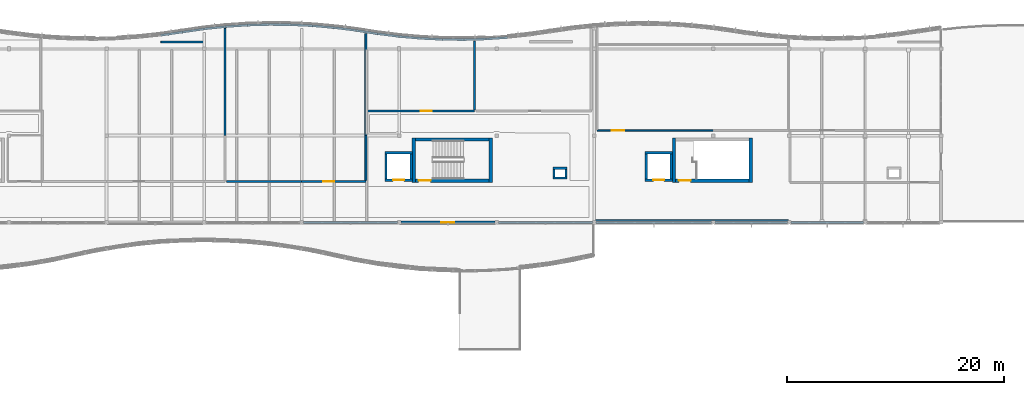
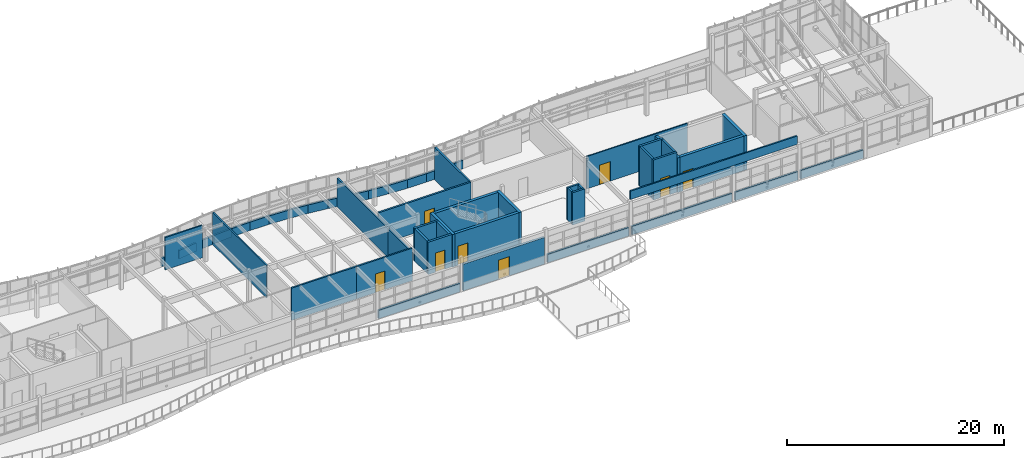
# One storey, part 21 of 33: 51 walls, 8 doors, 8 openings.
"""IFC4 building model written with IfcOpenShell, lengths in metres."""

from ifc_helpers import new_model, si_unit, direction, frame, frame_2d, origin, place, context, subcontext, project, spatial, rectangle, extrude, material, layer, layer_set, type_object, element, fill, save


model = new_model("IFC4")

# Units and contexts
model_context = context("Model", 3, precision=1e-05, world=origin(), true_north=direction((0.0, 1.0)))
body_context = subcontext(model_context, "Body", "Model", "MODEL_VIEW")
ifc_project = project(units=[si_unit("LENGTHUNIT", "METRE"), si_unit("AREAUNIT", "SQUARE_METRE"), si_unit("VOLUMEUNIT", "CUBIC_METRE"), si_unit("PLANEANGLEUNIT", "RADIAN"), si_unit("MASSUNIT", "GRAM", prefix="KILO")], contexts=[model_context])

# Site, building, storey
site_placement = place(None, origin())
site = spatial("IfcSite", under=ifc_project, at=site_placement, CompositionType="ELEMENT")
building_placement = place(site_placement, origin())
building = spatial("IfcBuilding", under=site, at=building_placement, Name="Tonlespit Floodbar School", CompositionType="ELEMENT")
storey_placement = place(building_placement, frame((0.0, 0.0, 16.199951171875)))
storey = spatial("IfcBuildingStorey", under=building, at=storey_placement, Name="L04", CompositionType="ELEMENT", Elevation=16.199951171875)

# Walls
ifc_material_1 = material(Name="Concrete C40/50", Category="concrete")
ifc_layer_1 = layer(ifc_material_1, 0.300048828125)
ifc_layer_set_1 = layer_set([ifc_layer_1], Name="Concrete C40/50")
wall_type_1 = type_object("IfcWallType", Name="CoreWall_RC_300", PredefinedType="SHEAR", material=ifc_layer_set_1)
for number, where, z_axis, x_axis, name in (
    (1, (99.35009765625, 107.699951171875, 0.0), (0.0, 0.0, 1.0), (0.0, 1.0, 0.0), "L04 core C2 shear wall NEAR"),
    (2, (106.449951171875, 111.800048828125, 0.0), (0.0, 0.0, 1.0), (0.0, -1.0, 0.0), "L04 core C2 shear wall FAR"),
):
    element("IfcWall", number, at=place(storey_placement, frame(where, z_axis=z_axis, x_axis=x_axis)), inside=storey, type_object=wall_type_1, Name=name, PredefinedType="SHEAR", context=body_context, shape_type="SweptSolid", body=[
        extrude(rectangle(XDim=4.10009765625, YDim=0.300048828125, at=frame_2d((2.050048828125, 0.0))), origin(), (0.0, 0.0, 1.0), 3.650146484375),
    ])

# Wall, opening, door
wall_1_placement = place(storey_placement, frame((99.5, 107.85009765625, 0.0), z_axis=(0.0, 0.0, 1.0), x_axis=(1.0, 0.0, 0.0)))
wall_1 = element("IfcWall", 3, at=wall_1_placement, inside=storey, type_object=wall_type_1, Name="L04 core C2 shear wall LEFT", PredefinedType="SHEAR", context=body_context, shape_type="SweptSolid", body=[
    extrude(rectangle(XDim=6.800048828125, YDim=0.300048828125, at=frame_2d((3.39990234375, 0.0))), origin(), (0.0, 0.0, 1.0), 3.650146484375),
])
opening_1_placement = place(wall_1_placement, frame((0.300048828125, 0.0, 0.0)))
opening_1 = element("IfcOpeningElement", 4, at=opening_1_placement, cuts=wall_1, Name="Opening FD1-C2-L04", PredefinedType="OPENING", context=body_context, shape_type="SweptSolid", body=[
    extrude(rectangle(XDim=1.10009765625, YDim=2.14990234375, at=frame_2d((0.550048828125, 1.074951171875))), frame((0.0, 0.159912109375, 0.0), z_axis=(0.0, -1.0, 0.0), x_axis=(1.0, 0.0, 0.0)), (0.0, 0.0, 1.0), 0.320068359375),
])
ifc_material_2 = material(Name="Galvanised Steel", Category="steel")
door_type_1 = type_object("IfcDoorType", Name="FireDoor_Stair_1100x2150", OperationType="NOTDEFINED", PredefinedType="DOOR", material=ifc_material_2)
door_1_placement = place(opening_1_placement, origin())
door_1 = element("IfcDoor", 5, at=door_1_placement, inside=storey, type_object=door_type_1, Name="L04 stair ST-C2 fire door", OperationType="SINGLE_SWING_LEFT", OverallHeight=2.14990234375, OverallWidth=1.10009765625, PredefinedType="DOOR", context=body_context, shape_type="SweptSolid", body=[
    extrude(rectangle(XDim=1.10009765625, YDim=2.14990234375, at=frame_2d((0.550048828125, 1.074951171875))), frame((0.0, 0.02490234375, 0.0), z_axis=(0.0, -1.0, 0.0), x_axis=(1.0, 0.0, 0.0)), (0.0, 0.0, 1.0), 0.050048828125),
])
fill(opening_1, door_1)

# Walls
wall_2_placement = place(storey_placement, frame((106.300048828125, 111.64990234375, 0.0), z_axis=(0.0, 0.0, 1.0), x_axis=(-1.0, 0.0, 0.0)))
element("IfcWall", 6, at=wall_2_placement, inside=storey, type_object=wall_type_1, Name="L04 core C2 shear wall RGHT", PredefinedType="SHEAR", context=body_context, shape_type="SweptSolid", body=[
    extrude(rectangle(XDim=6.800048828125, YDim=0.300048828125, at=frame_2d((3.39990234375, 0.0))), origin(), (0.0, 0.0, 1.0), 3.650146484375),
])
for number, where, z_axis, x_axis, name in (
    (7, (123.35009765625, 107.699951171875, 0.0), (0.0, 0.0, 1.0), (0.0, 1.0, 0.0), "L04 core C4 shear wall NEAR"),
    (8, (130.449951171875, 111.800048828125, 0.0), (0.0, 0.0, 1.0), (0.0, -1.0, 0.0), "L04 core C4 shear wall FAR"),
):
    element("IfcWall", number, at=place(storey_placement, frame(where, z_axis=z_axis, x_axis=x_axis)), inside=storey, type_object=wall_type_1, Name=name, PredefinedType="SHEAR", context=body_context, shape_type="SweptSolid", body=[
        extrude(rectangle(XDim=4.10009765625, YDim=0.300048828125, at=frame_2d((2.050048828125, 0.0))), origin(), (0.0, 0.0, 1.0), 3.900146484375),
    ])

# Wall, opening, door
wall_3_placement = place(storey_placement, frame((123.5, 107.85009765625, 0.0), z_axis=(0.0, 0.0, 1.0), x_axis=(1.0, 0.0, 0.0)))
wall_3 = element("IfcWall", 9, at=wall_3_placement, inside=storey, type_object=wall_type_1, Name="L04 core C4 shear wall LEFT", PredefinedType="SHEAR", context=body_context, shape_type="SweptSolid", body=[
    extrude(rectangle(XDim=6.800048828125, YDim=0.300048828125, at=frame_2d((3.39990234375, 0.0))), origin(), (0.0, 0.0, 1.0), 3.900146484375),
])
opening_2_placement = place(wall_3_placement, frame((0.300048828125, 0.0, 0.0)))
opening_2 = element("IfcOpeningElement", 10, at=opening_2_placement, cuts=wall_3, Name="Opening FD1-C4-L04", PredefinedType="OPENING", context=body_context, shape_type="SweptSolid", body=[
    extrude(rectangle(XDim=1.10009765625, YDim=2.14990234375, at=frame_2d((0.550048828125, 1.074951171875))), frame((0.0, 0.159912109375, 0.0), z_axis=(0.0, -1.0, 0.0), x_axis=(1.0, 0.0, 0.0)), (0.0, 0.0, 1.0), 0.320068359375),
])
door_2_placement = place(opening_2_placement, origin())
door_2 = element("IfcDoor", 11, at=door_2_placement, inside=storey, type_object=door_type_1, Name="L04 stair ST-C4 fire door", OperationType="SINGLE_SWING_LEFT", OverallHeight=2.14990234375, OverallWidth=1.10009765625, PredefinedType="DOOR", context=body_context, shape_type="SweptSolid", body=[
    extrude(rectangle(XDim=1.10009765625, YDim=2.14990234375, at=frame_2d((0.550048828125, 1.074951171875))), frame((0.0, 0.02490234375, 0.0), z_axis=(0.0, -1.0, 0.0), x_axis=(1.0, 0.0, 0.0)), (0.0, 0.0, 1.0), 0.050048828125),
])
fill(opening_2, door_2)

ifc_material_3 = material(Name="Precast concrete C40/50", Category="concrete")
ifc_layer_2 = layer(ifc_material_3, 0.239990234375)
ifc_layer_set_2 = layer_set([ifc_layer_2], Name="Precast concrete C40/50")
wall_type_2 = type_object("IfcWallType", Name="ExtWall_Rainscreen_240", PredefinedType="SOLIDWALL", material=ifc_layer_set_2)
wall_4_placement = place(storey_placement, frame((106.840087890625, 104.0, 0.0), z_axis=(0.0, 0.0, 1.0), x_axis=(-1.0, 0.0, 0.0)))
wall_4 = element("IfcWall", 12, at=wall_4_placement, inside=storey, type_object=wall_type_2, Name="L04 external wall 0226", PredefinedType="SOLIDWALL", context=body_context, shape_type="SweptSolid", body=[
    extrude(rectangle(XDim=8.68017578125, YDim=0.239990234375, at=frame_2d((4.340087890625, 0.0))), origin(), (0.0, 0.0, 1.0), 3.010009765625),
])
opening_3_placement = place(wall_4_placement, frame((3.739990234375, 0.0, 0.0)))
opening_3 = element("IfcOpeningElement", 13, at=opening_3_placement, cuts=wall_4, Name="Opening D-TR-010", PredefinedType="OPENING", context=body_context, shape_type="SweptSolid", body=[
    extrude(rectangle(XDim=1.199951171875, YDim=2.14990234375, at=frame_2d((0.60009765625, 1.074951171875))), frame((0.0, 0.1298828125, 0.0), z_axis=(0.0, -1.0, 0.0), x_axis=(1.0, 0.0, 0.0)), (0.0, 0.0, 1.0), 0.260009765625),
])
ifc_material_4 = material(Name="Anodised Aluminium", Category="aluminium")
door_type_2 = type_object("IfcDoorType", Name="ExtDoor_Terrace_1200x2150", OperationType="NOTDEFINED", PredefinedType="DOOR", material=ifc_material_4)
door_3_placement = place(opening_3_placement, origin())
door_3 = element("IfcDoor", 14, at=door_3_placement, inside=storey, type_object=door_type_2, Name="L04 exterior door D-TR-010", OperationType="SINGLE_SWING_RIGHT", OverallHeight=2.14990234375, OverallWidth=1.199951171875, PredefinedType="DOOR", context=body_context, shape_type="SweptSolid", body=[
    extrude(rectangle(XDim=1.199951171875, YDim=2.14990234375, at=frame_2d((0.60009765625, 1.074951171875))), frame((0.0, 0.02490234375, 0.0), z_axis=(0.0, -1.0, 0.0), x_axis=(1.0, 0.0, 0.0)), (0.0, 0.0, 1.0), 0.050048828125),
])
fill(opening_3, door_3)

# Walls
ifc_material_5 = material(Name="White Architectural Precast concrete C40/50", Category="concrete")
ifc_layer_3 = layer(ifc_material_5, 0.199951171875)
ifc_layer_set_3 = layer_set([ifc_layer_3], Name="White Architectural Precast concrete C40/50")
wall_type_3 = type_object("IfcWallType", Name="ExtWall_Spandrel_White_200", PredefinedType="SOLIDWALL", material=ifc_layer_set_3)
for number, where, z_axis, x_axis, name in (
    (15, (76.0, 121.25830078125, 0.0), (0.0, 0.0, 1.0), (0.989527230727, 0.144346318447, 0.0), "L04 spandrel wall 0205"),
    (16, (78.0, 121.550048828125, 0.0), (0.0, 0.0, 1.0), (0.989544477223, 0.144228040259, 0.0), "L04 spandrel wall 0206"),
):
    element("IfcWall", number, at=place(storey_placement, frame(where, z_axis=z_axis, x_axis=x_axis)), inside=storey, type_object=wall_type_3, Name=name, PredefinedType="SOLIDWALL", context=body_context, shape_type="SweptSolid", body=[
        extrude(rectangle(XDim=2.021240234375, YDim=0.199951171875, at=frame_2d((1.0107421875, 0.0))), origin(), (0.0, 0.0, 1.0), 0.949951171875),
    ])
wall_5_placement = place(storey_placement, frame((80.0, 121.841552734375, 0.0), z_axis=(0.0, 0.0, 1.0), x_axis=(0.994395160059, 0.105727317433, 0.0)))
element("IfcWall", 17, at=wall_5_placement, inside=storey, type_object=wall_type_3, Name="L04 spandrel wall 0207", PredefinedType="SOLIDWALL", context=body_context, shape_type="SweptSolid", body=[
    extrude(rectangle(XDim=2.01123046875, YDim=0.199951171875, at=frame_2d((1.005615234375, 0.0))), origin(), (0.0, 0.0, 1.0), 0.949951171875),
])
wall_6_placement = place(storey_placement, frame((82.0, 122.05419921875, 0.0), z_axis=(0.0, 0.0, 1.0), x_axis=(0.997729302978, 0.067351599676, 0.0)))
element("IfcWall", 18, at=wall_6_placement, inside=storey, type_object=wall_type_3, Name="L04 spandrel wall 0208", PredefinedType="SOLIDWALL", context=body_context, shape_type="SweptSolid", body=[
    extrude(rectangle(XDim=2.004638671875, YDim=0.199951171875, at=frame_2d((1.00244140625, 0.0))), origin(), (0.0, 0.0, 1.0), 0.949951171875),
])
wall_7_placement = place(storey_placement, frame((84.0, 122.189208984375, 0.0), z_axis=(0.0, 0.0, 1.0), x_axis=(0.999581770858, 0.028918564416, 0.0)))
element("IfcWall", 19, at=wall_7_placement, inside=storey, type_object=wall_type_3, Name="L04 spandrel wall 0209", PredefinedType="SOLIDWALL", context=body_context, shape_type="SweptSolid", body=[
    extrude(rectangle(XDim=2.000732421875, YDim=0.199951171875, at=frame_2d((1.00048828125, 0.0))), origin(), (0.0, 0.0, 1.0), 0.949951171875),
])
wall_8_placement = place(storey_placement, frame((86.0, 122.2470703125, 0.0), z_axis=(0.0, 0.0, 1.0), x_axis=(0.999953504169, -0.009643106302, 0.0)))
element("IfcWall", 20, at=wall_8_placement, inside=storey, type_object=wall_type_3, Name="L04 spandrel wall 0210", PredefinedType="SOLIDWALL", context=body_context, shape_type="SweptSolid", body=[
    extrude(rectangle(XDim=2.0, YDim=0.199951171875, at=frame_2d((1.0, 0.0))), origin(), (0.0, 0.0, 1.0), 0.949951171875),
])
wall_9_placement = place(storey_placement, frame((88.0, 122.227783203125, 0.0), z_axis=(0.0, 0.0, 1.0), x_axis=(0.99884540439, -0.048040172037, 0.0)))
element("IfcWall", 21, at=wall_9_placement, inside=storey, type_object=wall_type_3, Name="L04 spandrel wall 0211", PredefinedType="SOLIDWALL", context=body_context, shape_type="SweptSolid", body=[
    extrude(rectangle(XDim=2.002197265625, YDim=0.199951171875, at=frame_2d((1.0009765625, 0.0))), origin(), (0.0, 0.0, 1.0), 0.949951171875),
])
wall_10_placement = place(storey_placement, frame((90.0, 122.131591796875, 0.0), z_axis=(0.0, 0.0, 1.0), x_axis=(0.996244237948, -0.086587633962, 0.0)))
element("IfcWall", 22, at=wall_10_placement, inside=storey, type_object=wall_type_3, Name="L04 spandrel wall 0212", PredefinedType="SOLIDWALL", context=body_context, shape_type="SweptSolid", body=[
    extrude(rectangle(XDim=2.007568359375, YDim=0.199951171875, at=frame_2d((1.00390625, 0.0))), origin(), (0.0, 0.0, 1.0), 0.949951171875),
])
wall_11_placement = place(storey_placement, frame((92.0, 121.957763671875, 0.0), z_axis=(0.0, 0.0, 1.0), x_axis=(0.992158168336, -0.124988675503, 0.0)))
element("IfcWall", 23, at=wall_11_placement, inside=storey, type_object=wall_type_3, Name="L04 spandrel wall 0213", PredefinedType="SOLIDWALL", context=body_context, shape_type="SweptSolid", body=[
    extrude(rectangle(XDim=2.015869140625, YDim=0.199951171875, at=frame_2d((1.0078125, 0.0))), origin(), (0.0, 0.0, 1.0), 0.949951171875),
])
wall_12_placement = place(storey_placement, frame((94.0, 121.705810546875, 0.0), z_axis=(0.0, 0.0, 1.0), x_axis=(0.988085509852, -0.153905897287, 0.0)))
element("IfcWall", 24, at=wall_12_placement, inside=storey, type_object=wall_type_3, Name="L04 spandrel wall 0214", PredefinedType="SOLIDWALL", context=body_context, shape_type="SweptSolid", body=[
    extrude(rectangle(XDim=2.024169921875, YDim=0.199951171875, at=frame_2d((1.01220703125, 0.0))), origin(), (0.0, 0.0, 1.0), 0.949951171875),
])
wall_13_placement = place(storey_placement, frame((96.0, 121.394287109375, 0.0), z_axis=(0.0, 0.0, 1.0), x_axis=(0.992158168336, -0.124988675503, 0.0)))
element("IfcWall", 25, at=wall_13_placement, inside=storey, type_object=wall_type_3, Name="L04 spandrel wall 0215", PredefinedType="SOLIDWALL", context=body_context, shape_type="SweptSolid", body=[
    extrude(rectangle(XDim=2.015869140625, YDim=0.199951171875, at=frame_2d((1.0078125, 0.0))), origin(), (0.0, 0.0, 1.0), 0.949951171875),
])
wall_14_placement = place(storey_placement, frame((98.0, 121.142333984375, 0.0), z_axis=(0.0, 0.0, 1.0), x_axis=(0.996244237948, -0.086587633962, 0.0)))
element("IfcWall", 26, at=wall_14_placement, inside=storey, type_object=wall_type_3, Name="L04 spandrel wall 0216", PredefinedType="SOLIDWALL", context=body_context, shape_type="SweptSolid", body=[
    extrude(rectangle(XDim=2.007568359375, YDim=0.199951171875, at=frame_2d((1.00390625, 0.0))), origin(), (0.0, 0.0, 1.0), 0.949951171875),
])
wall_15_placement = place(storey_placement, frame((100.0, 120.968505859375, 0.0), z_axis=(0.0, 0.0, 1.0), x_axis=(0.99884540439, -0.048040172037, 0.0)))
element("IfcWall", 27, at=wall_15_placement, inside=storey, type_object=wall_type_3, Name="L04 spandrel wall 0217", PredefinedType="SOLIDWALL", context=body_context, shape_type="SweptSolid", body=[
    extrude(rectangle(XDim=2.002197265625, YDim=0.199951171875, at=frame_2d((1.0009765625, 0.0))), origin(), (0.0, 0.0, 1.0), 0.949951171875),
])
wall_16_placement = place(storey_placement, frame((102.0, 120.872314453125, 0.0), z_axis=(0.0, 0.0, 1.0), x_axis=(0.999953504169, -0.009643106302, 0.0)))
element("IfcWall", 28, at=wall_16_placement, inside=storey, type_object=wall_type_3, Name="L04 spandrel wall 0218", PredefinedType="SOLIDWALL", context=body_context, shape_type="SweptSolid", body=[
    extrude(rectangle(XDim=2.0, YDim=0.199951171875, at=frame_2d((1.0, 0.0))), origin(), (0.0, 0.0, 1.0), 0.949951171875),
])
wall_17_placement = place(storey_placement, frame((104.0, 120.85302734375, 0.0), z_axis=(0.0, 0.0, 1.0), x_axis=(0.999585290582, 0.028796646555, 0.0)))
element("IfcWall", 29, at=wall_17_placement, inside=storey, type_object=wall_type_3, Name="L04 spandrel wall 0219", PredefinedType="SOLIDWALL", context=body_context, shape_type="SweptSolid", body=[
    extrude(rectangle(XDim=2.000732421875, YDim=0.199951171875, at=frame_2d((1.00048828125, 0.0))), origin(), (0.0, 0.0, 1.0), 0.949951171875),
])
wall_18_placement = place(storey_placement, frame((106.0, 120.91064453125, 0.0), z_axis=(0.0, 0.0, 1.0), x_axis=(0.997729302978, 0.067351599676, 0.0)))
element("IfcWall", 30, at=wall_18_placement, inside=storey, type_object=wall_type_3, Name="L04 spandrel wall 0220", PredefinedType="SOLIDWALL", context=body_context, shape_type="SweptSolid", body=[
    extrude(rectangle(XDim=2.004638671875, YDim=0.199951171875, at=frame_2d((1.00244140625, 0.0))), origin(), (0.0, 0.0, 1.0), 0.949951171875),
])
for number, where, z_axis, x_axis, name in (
    (31, (115.840087890625, 104.0, 0.0), (0.0, 0.0, 1.0), (-1.0, 0.0, 0.0), "L04 spandrel wall 0225"),
    (32, (97.840087890625, 104.0, 0.0), (0.0, 0.0, 1.0), (-1.0, 0.0, 0.0), "L04 spandrel wall 0227"),
):
    element("IfcWall", number, at=place(storey_placement, frame(where, z_axis=z_axis, x_axis=x_axis)), inside=storey, type_object=wall_type_3, Name=name, PredefinedType="SOLIDWALL", context=body_context, shape_type="SweptSolid", body=[
        extrude(rectangle(XDim=8.68017578125, YDim=0.199951171875, at=frame_2d((4.340087890625, 0.0))), origin(), (0.0, 0.0, 1.0), 0.949951171875),
    ])
for number, where, z_axis, x_axis, name in (
    (33, (140.840087890625, 104.0, 0.0), (0.0, 0.0, 1.0), (-1.0, 0.0, 0.0), "L04 spandrel wall 0682"),
    (34, (133.840087890625, 104.0, 0.0), (0.0, 0.0, 1.0), (-1.0, 0.0, 0.0), "L04 spandrel wall 0683"),
):
    element("IfcWall", number, at=place(storey_placement, frame(where, z_axis=z_axis, x_axis=x_axis)), inside=storey, type_object=wall_type_3, Name=name, PredefinedType="SOLIDWALL", context=body_context, shape_type="SweptSolid", body=[
        extrude(rectangle(XDim=6.68017578125, YDim=0.199951171875, at=frame_2d((3.340087890625, 0.0))), origin(), (0.0, 0.0, 1.0), 0.949951171875),
    ])
wall_19_placement = place(storey_placement, frame((126.840087890625, 104.0, 0.0), z_axis=(0.0, 0.0, 1.0), x_axis=(-1.0, 0.0, 0.0)))
element("IfcWall", 35, at=wall_19_placement, inside=storey, type_object=wall_type_3, Name="L04 spandrel wall 0684", PredefinedType="SOLIDWALL", context=body_context, shape_type="SweptSolid", body=[
    extrude(rectangle(XDim=10.68017578125, YDim=0.199951171875, at=frame_2d((5.340087890625, 0.0))), origin(), (0.0, 0.0, 1.0), 0.949951171875),
])
ifc_layer_4 = layer(ifc_material_1, 0.199951171875)
ifc_layer_set_4 = layer_set([ifc_layer_4], Name="Concrete C40/50")
wall_type_4 = type_object("IfcWallType", Name="FireWall_Plant_200", PredefinedType="PARTITIONING", material=ifc_layer_set_4)
for number, where, z_axis, x_axis, name in (
    (36, (113.5, 108.10009765625, 0.0), (0.0, 0.0, 1.0), (-1.0, 0.0, 0.0), "L04 service riser 02 wall S"),
    (37, (112.199951171875, 109.0, 0.0), (0.0, 0.0, 1.0), (1.0, 0.0, 0.0), "L04 service riser 02 wall N"),
):
    element("IfcWall", number, at=place(storey_placement, frame(where, z_axis=z_axis, x_axis=x_axis)), inside=storey, type_object=wall_type_4, Name=name, PredefinedType="PARTITIONING", context=body_context, shape_type="SweptSolid", body=[
        extrude(rectangle(XDim=1.300048828125, YDim=0.199951171875, at=frame_2d((0.64990234375, 0.0))), origin(), (0.0, 0.0, 1.0), 3.650146484375),
    ])
for number, where, z_axis, x_axis, name in (
    (38, (112.300048828125, 108.199951171875, 0.0), (0.0, 0.0, 1.0), (0.0, 1.0, 0.0), "L04 service riser 02 wall W"),
    (39, (113.39990234375, 108.89990234375, 0.0), (0.0, 0.0, 1.0), (0.0, -1.0, 0.0), "L04 service riser 02 wall E"),
):
    element("IfcWall", number, at=place(storey_placement, frame(where, z_axis=z_axis, x_axis=x_axis)), inside=storey, type_object=wall_type_4, Name=name, PredefinedType="PARTITIONING", context=body_context, shape_type="SweptSolid", body=[
        extrude(rectangle(XDim=0.699951171875, YDim=0.199951171875, at=frame_2d((0.35009765625, 0.0))), origin(), (0.0, 0.0, 1.0), 3.650146484375),
    ])
ifc_layer_5 = layer(ifc_material_5, 0.14990234375)
ifc_layer_set_5 = layer_set([ifc_layer_5], Name="White Architectural Precast concrete C40/50")
wall_type_5 = type_object("IfcWallType", Name="Parapet_RC_150", PredefinedType="PARAPET", material=ifc_layer_set_5)
wall_20_placement = place(storey_placement, frame((116.10009765625, 104.14990234375, 3.900146484375), z_axis=(0.0, 0.0, 1.0), x_axis=(1.0, 0.0, 0.0)))
element("IfcWall", 40, at=wall_20_placement, inside=storey, type_object=wall_type_5, Name="Roof parapet 01", PredefinedType="PARAPET", context=body_context, shape_type="SweptSolid", body=[
    extrude(rectangle(XDim=17.7998046875, YDim=0.14990234375, at=frame_2d((8.89990234375, 0.0))), origin(), (0.0, 0.0, 1.0), 0.949951171875),
])

# Wall, opening, door
ifc_material_6 = material(Name="Gypsum Plasterboard Partition")
ifc_layer_6 = layer(ifc_material_6, 0.1298828125)
ifc_layer_set_6 = layer_set([ifc_layer_6], Name="Gypsum Plasterboard Partition")
wall_type_6 = type_object("IfcWallType", Name="Partition_Gyp_130", PredefinedType="PARTITIONING", material=ifc_layer_set_6)
wall_21_placement = place(storey_placement, frame((116.27001953125, 112.469970703125, 0.0), z_axis=(0.0, 0.0, 1.0), x_axis=(1.0, 0.0, 0.0)))
wall_21 = element("IfcWall", 41, at=wall_21_placement, inside=storey, type_object=wall_type_6, Name="L04 partition wall 0424", PredefinedType="PARTITIONING", context=body_context, shape_type="SweptSolid", body=[
    extrude(rectangle(XDim=10.72998046875, YDim=0.1298828125, at=frame_2d((5.364990234375, 0.0))), origin(), (0.0, 0.0, 1.0), 3.64013671875),
])
opening_4_placement = place(wall_21_placement, frame((1.360107421875, 0.0, 0.0)))
opening_4 = element("IfcOpeningElement", 42, at=opening_4_placement, cuts=wall_21, Name="Opening D-L04-116", PredefinedType="OPENING", context=body_context, shape_type="SweptSolid", body=[
    extrude(rectangle(XDim=1.139892578125, YDim=2.199951171875, at=frame_2d((0.56982421875, 1.10009765625))), frame((0.0, 0.074951171875, 0.0), z_axis=(0.0, -1.0, 0.0), x_axis=(1.0, 0.0, 0.0)), (0.0, 0.0, 1.0), 0.14990234375),
])
ifc_material_7 = material(Name="Hardwood Timber", Category="wood")
door_type_3 = type_object("IfcDoorType", Name="IntDoor_1140x2200", OperationType="NOTDEFINED", PredefinedType="DOOR", material=ifc_material_7)
door_4_placement = place(opening_4_placement, origin())
door_4 = element("IfcDoor", 43, at=door_4_placement, inside=storey, type_object=door_type_3, Name="L04 interior door D-L04-116", OperationType="SINGLE_SWING_LEFT", OverallHeight=2.199951171875, OverallWidth=1.139892578125, PredefinedType="DOOR", context=body_context, shape_type="SweptSolid", body=[
    extrude(rectangle(XDim=1.139892578125, YDim=2.199951171875, at=frame_2d((0.56982421875, 1.10009765625))), frame((0.0, 0.02490234375, 0.0), z_axis=(0.0, -1.0, 0.0), x_axis=(1.0, 0.0, 0.0)), (0.0, 0.0, 1.0), 0.050048828125),
])
fill(opening_4, door_4)

# Walls
ifc_layer_7 = layer(ifc_material_6, 0.14990234375)
ifc_layer_set_7 = layer_set([ifc_layer_7], Name="Gypsum Plasterboard Partition")
wall_type_7 = type_object("IfcWallType", Name="Partition_Gyp_150", PredefinedType="PARTITIONING", material=ifc_layer_set_7)
wall_22_placement = place(storey_placement, frame((76.02001953125, 120.64111328125, 0.0), z_axis=(0.0, 0.0, 1.0), x_axis=(1.0, 0.0, 0.0)))
element("IfcWall", 44, at=wall_22_placement, inside=storey, type_object=wall_type_7, Name="L04 partition wall 0113", PredefinedType="PARTITIONING", context=body_context, shape_type="SweptSolid", body=[
    extrude(rectangle(XDim=3.97998046875, YDim=0.14990234375, at=frame_2d((1.989990234375, 0.0))), origin(), (0.0, 0.0, 1.0), 3.650146484375),
])
wall_23_placement = place(storey_placement, frame((81.929931640625, 112.0, 0.0), z_axis=(0.0, 0.0, 1.0), x_axis=(0.0, 1.0, 0.0)))
element("IfcWall", 45, at=wall_23_placement, inside=storey, type_object=wall_type_7, Name="L04 partition wall 0117", PredefinedType="PARTITIONING", context=body_context, shape_type="SweptSolid", body=[
    extrude(rectangle(XDim=9.90478515625, YDim=0.14990234375, at=frame_2d((4.952392578125, 0.0))), origin(), (0.0, 0.0, 1.0), 3.650146484375),
])
ifc_layer_8 = layer(ifc_material_6, 0.169921875)
ifc_layer_set_8 = layer_set([ifc_layer_8], Name="Gypsum Plasterboard Partition")
wall_type_8 = type_object("IfcWallType", Name="Partition_Gyp_170", PredefinedType="PARTITIONING", material=ifc_layer_set_8)
wall_24_placement = place(storey_placement, frame((82.070068359375, 107.77001953125, 0.0), z_axis=(0.0, 0.0, 1.0), x_axis=(1.0, 0.0, 0.0)))
element("IfcWall", 46, at=wall_24_placement, inside=storey, type_object=wall_type_8, Name="L04 partition wall 0118", PredefinedType="PARTITIONING", context=body_context, shape_type="SweptSolid", body=[
    extrude(rectangle(XDim=6.929931640625, YDim=0.169921875, at=frame_2d((3.46484375, 0.0))), origin(), (0.0, 0.0, 1.0), 3.650146484375),
])

# Wall, opening, door
wall_25_placement = place(storey_placement, frame((89.0, 107.77001953125, 0.0), z_axis=(0.0, 0.0, 1.0), x_axis=(1.0, 0.0, 0.0)))
wall_25 = element("IfcWall", 47, at=wall_25_placement, inside=storey, type_object=wall_type_8, Name="L04 partition wall 0119", PredefinedType="PARTITIONING", context=body_context, shape_type="SweptSolid", body=[
    extrude(rectangle(XDim=5.929931640625, YDim=0.169921875, at=frame_2d((2.96484375, 0.0))), origin(), (0.0, 0.0, 1.0), 3.650146484375),
])
opening_5_placement = place(wall_25_placement, frame((1.989990234375, 0.0, 0.0)))
opening_5 = element("IfcOpeningElement", 48, at=opening_5_placement, cuts=wall_25, Name="Opening D-L04-038", PredefinedType="OPENING", context=body_context, shape_type="SweptSolid", body=[
    extrude(rectangle(XDim=1.02001953125, YDim=2.10009765625, at=frame_2d((0.510009765625, 1.050048828125))), frame((0.0, 0.094970703125, 0.0), z_axis=(0.0, -1.0, 0.0), x_axis=(1.0, 0.0, 0.0)), (0.0, 0.0, 1.0), 0.18994140625),
])
door_type_4 = type_object("IfcDoorType", Name="IntDoor_1020x2100", OperationType="NOTDEFINED", PredefinedType="DOOR", material=ifc_material_7)
door_5_placement = place(opening_5_placement, origin())
door_5 = element("IfcDoor", 49, at=door_5_placement, inside=storey, type_object=door_type_4, Name="L04 interior door D-L04-038", OperationType="SINGLE_SWING_LEFT", OverallHeight=2.10009765625, OverallWidth=1.02001953125, PredefinedType="DOOR", context=body_context, shape_type="SweptSolid", body=[
    extrude(rectangle(XDim=1.02001953125, YDim=2.10009765625, at=frame_2d((0.510009765625, 1.050048828125))), frame((0.0, 0.02490234375, 0.0), z_axis=(0.0, -1.0, 0.0), x_axis=(1.0, 0.0, 0.0)), (0.0, 0.0, 1.0), 0.050048828125),
])
fill(opening_5, door_5)

# Walls
wall_26_placement = place(storey_placement, frame((94.929931640625, 107.8701171875, 0.0), z_axis=(0.0, 0.0, 1.0), x_axis=(0.0, 1.0, 0.0)))
element("IfcWall", 50, at=wall_26_placement, inside=storey, type_object=wall_type_8, Name="L04 partition wall 0120", PredefinedType="PARTITIONING", context=body_context, shape_type="SweptSolid", body=[
    extrude(rectangle(XDim=4.1298828125, YDim=0.169921875, at=frame_2d((2.06494140625, 0.0))), origin(), (0.0, 0.0, 1.0), 3.248046875),
])
wall_27_placement = place(storey_placement, frame((94.929931640625, 112.0, 0.0), z_axis=(0.0, 0.0, 1.0), x_axis=(0.0, 1.0, 0.0)))
element("IfcWall", 51, at=wall_27_placement, inside=storey, type_object=wall_type_8, Name="L04 partition wall 0121", PredefinedType="PARTITIONING", context=body_context, shape_type="SweptSolid", body=[
    extrude(rectangle(XDim=9.4189453125, YDim=0.169921875, at=frame_2d((4.70947265625, 0.0))), origin(), (0.0, 0.0, 1.0), 3.248046875),
])

# Wall, opening, door
ifc_layer_9 = layer(ifc_material_6, 0.18505859375)
ifc_layer_set_9 = layer_set([ifc_layer_9], Name="Gypsum Plasterboard Partition")
wall_type_9 = type_object("IfcWallType", Name="Partition_Gyp_185", PredefinedType="PARTITIONING", material=ifc_layer_set_9)
wall_28_placement = place(storey_placement, frame((95.070068359375, 114.27001953125, 0.0), z_axis=(0.0, 0.0, 1.0), x_axis=(1.0, 0.0, 0.0)))
wall_28 = element("IfcWall", 52, at=wall_28_placement, inside=storey, type_object=wall_type_9, Name="L04 partition wall 0122", PredefinedType="PARTITIONING", context=body_context, shape_type="SweptSolid", body=[
    extrude(rectangle(XDim=9.85986328125, YDim=0.18505859375, at=frame_2d((4.929931640625, 0.0))), origin(), (0.0, 0.0, 1.0), 3.650146484375),
])
opening_6_placement = place(wall_28_placement, frame((4.905029296875, 0.0, 0.0)))
opening_6 = element("IfcOpeningElement", 53, at=opening_6_placement, cuts=wall_28, Name="Opening D-L04-039", PredefinedType="OPENING", context=body_context, shape_type="SweptSolid", body=[
    extrude(rectangle(XDim=1.050048828125, YDim=2.10009765625, at=frame_2d((0.52490234375, 1.050048828125))), frame((0.0, 0.1025390625, 0.0), z_axis=(0.0, -1.0, 0.0), x_axis=(1.0, 0.0, 0.0)), (0.0, 0.0, 1.0), 0.205078125),
])
door_type_5 = type_object("IfcDoorType", Name="IntDoor_1050x2100", OperationType="NOTDEFINED", PredefinedType="DOOR", material=ifc_material_7)
door_6_placement = place(opening_6_placement, origin())
door_6 = element("IfcDoor", 54, at=door_6_placement, inside=storey, type_object=door_type_5, Name="L04 interior door D-L04-039", OperationType="SINGLE_SWING_RIGHT", OverallHeight=2.10009765625, OverallWidth=1.050048828125, PredefinedType="DOOR", context=body_context, shape_type="SweptSolid", body=[
    extrude(rectangle(XDim=1.050048828125, YDim=2.10009765625, at=frame_2d((0.52490234375, 1.050048828125))), frame((0.0, 0.02490234375, 0.0), z_axis=(0.0, -1.0, 0.0), x_axis=(1.0, 0.0, 0.0)), (0.0, 0.0, 1.0), 0.050048828125),
])
fill(opening_6, door_6)

# Wall
wall_29_placement = place(storey_placement, frame((104.929931640625, 114.37744140625, 0.0), z_axis=(0.0, 0.0, 1.0), x_axis=(0.0, 1.0, 0.0)))
element("IfcWall", 55, at=wall_29_placement, inside=storey, type_object=wall_type_9, Name="L04 partition wall 0123", PredefinedType="PARTITIONING", context=body_context, shape_type="SweptSolid", body=[
    extrude(rectangle(XDim=6.3603515625, YDim=0.18505859375, at=frame_2d((3.18017578125, 0.0))), origin(), (0.0, 0.0, 1.0), 3.650146484375),
])

# Wall, opening, door
ifc_layer_10 = layer(ifc_material_1, 0.219970703125)
ifc_layer_set_10 = layer_set([ifc_layer_10], Name="Concrete C40/50")
wall_type_10 = type_object("IfcWallType", Name="ShaftWall_RC_220", PredefinedType="SHEAR", material=ifc_layer_set_10)
wall_30_placement = place(storey_placement, frame((99.219970703125, 107.889892578125, 0.0), z_axis=(0.0, 0.0, 1.0), x_axis=(-1.0, 0.0, 0.0)))
wall_30 = element("IfcWall", 56, at=wall_30_placement, inside=storey, type_object=wall_type_10, Name="L04 lift LP-2 shaft wall S", PredefinedType="SHEAR", context=body_context, shape_type="SweptSolid", body=[
    extrude(rectangle(XDim=2.5400390625, YDim=0.219970703125, at=frame_2d((1.27001953125, 0.0))), origin(), (0.0, 0.0, 1.0), 3.650146484375),
])
opening_7_placement = place(wall_30_placement, frame((0.77001953125, 0.0, 0.0)))
opening_7 = element("IfcOpeningElement", 57, at=opening_7_placement, cuts=wall_30, Name="Opening LD-LP-2-L04", PredefinedType="OPENING", context=body_context, shape_type="SweptSolid", body=[
    extrude(rectangle(XDim=1.0, YDim=2.14990234375, at=frame_2d((0.5, 1.074951171875))), frame((0.0, 0.119873046875, 0.0), z_axis=(0.0, -1.0, 0.0), x_axis=(1.0, 0.0, 0.0)), (0.0, 0.0, 1.0), 0.239990234375),
])
door_type_6 = type_object("IfcDoorType", Name="LiftDoor_Pass_1000x2150", OperationType="DOUBLE_DOOR_SLIDING", PredefinedType="DOOR", material=ifc_material_4)
door_7_placement = place(opening_7_placement, origin())
door_7 = element("IfcDoor", 58, at=door_7_placement, inside=storey, type_object=door_type_6, Name="L04 lift LP-2 sliding landing door", OperationType="DOUBLE_DOOR_SLIDING", OverallHeight=2.14990234375, OverallWidth=1.0, PredefinedType="DOOR", context=body_context, shape_type="SweptSolid", body=[
    extrude(rectangle(XDim=1.0, YDim=2.14990234375, at=frame_2d((0.5, 1.074951171875))), frame((0.0, 0.02490234375, 0.0), z_axis=(0.0, -1.0, 0.0), x_axis=(1.0, 0.0, 0.0)), (0.0, 0.0, 1.0), 0.050048828125),
])
fill(opening_7, door_7)

# Walls
wall_31_placement = place(storey_placement, frame((96.679931640625, 110.409912109375, 0.0), z_axis=(0.0, 0.0, 1.0), x_axis=(1.0, 0.0, 0.0)))
element("IfcWall", 59, at=wall_31_placement, inside=storey, type_object=wall_type_10, Name="L04 lift LP-2 shaft wall N", PredefinedType="SHEAR", context=body_context, shape_type="SweptSolid", body=[
    extrude(rectangle(XDim=2.5400390625, YDim=0.219970703125, at=frame_2d((1.27001953125, 0.0))), origin(), (0.0, 0.0, 1.0), 3.650146484375),
])
for number, where, z_axis, x_axis, name in (
    (60, (96.7900390625, 108.0, 0.0), (0.0, 0.0, 1.0), (0.0, 1.0, 0.0), "L04 lift LP-2 shaft wall W"),
    (61, (99.110107421875, 110.300048828125, 0.0), (0.0, 0.0, 1.0), (0.0, -1.0, 0.0), "L04 lift LP-2 shaft wall E"),
):
    element("IfcWall", number, at=place(storey_placement, frame(where, z_axis=z_axis, x_axis=x_axis)), inside=storey, type_object=wall_type_10, Name=name, PredefinedType="SHEAR", context=body_context, shape_type="SweptSolid", body=[
        extrude(rectangle(XDim=2.300048828125, YDim=0.219970703125, at=frame_2d((1.14990234375, 0.0))), origin(), (0.0, 0.0, 1.0), 3.650146484375),
    ])

# Wall, opening, door
wall_32_placement = place(storey_placement, frame((123.219970703125, 107.889892578125, 0.0), z_axis=(0.0, 0.0, 1.0), x_axis=(-1.0, 0.0, 0.0)))
wall_32 = element("IfcWall", 62, at=wall_32_placement, inside=storey, type_object=wall_type_10, Name="L04 lift LP-3 shaft wall S", PredefinedType="SHEAR", context=body_context, shape_type="SweptSolid", body=[
    extrude(rectangle(XDim=2.5400390625, YDim=0.219970703125, at=frame_2d((1.27001953125, 0.0))), origin(), (0.0, 0.0, 1.0), 4.5),
])
opening_8_placement = place(wall_32_placement, frame((0.77001953125, 0.0, 0.0)))
opening_8 = element("IfcOpeningElement", 63, at=opening_8_placement, cuts=wall_32, Name="Opening LD-LP-3-L04", PredefinedType="OPENING", context=body_context, shape_type="SweptSolid", body=[
    extrude(rectangle(XDim=1.0, YDim=2.14990234375, at=frame_2d((0.5, 1.074951171875))), frame((0.0, 0.119873046875, 0.0), z_axis=(0.0, -1.0, 0.0), x_axis=(1.0, 0.0, 0.0)), (0.0, 0.0, 1.0), 0.239990234375),
])
door_8_placement = place(opening_8_placement, origin())
door_8 = element("IfcDoor", 64, at=door_8_placement, inside=storey, type_object=door_type_6, Name="L04 lift LP-3 sliding landing door", OperationType="DOUBLE_DOOR_SLIDING", OverallHeight=2.14990234375, OverallWidth=1.0, PredefinedType="DOOR", context=body_context, shape_type="SweptSolid", body=[
    extrude(rectangle(XDim=1.0, YDim=2.14990234375, at=frame_2d((0.5, 1.074951171875))), frame((0.0, 0.02490234375, 0.0), z_axis=(0.0, -1.0, 0.0), x_axis=(1.0, 0.0, 0.0)), (0.0, 0.0, 1.0), 0.050048828125),
])
fill(opening_8, door_8)

# Walls
wall_33_placement = place(storey_placement, frame((120.679931640625, 110.409912109375, 0.0), z_axis=(0.0, 0.0, 1.0), x_axis=(1.0, 0.0, 0.0)))
element("IfcWall", 65, at=wall_33_placement, inside=storey, type_object=wall_type_10, Name="L04 lift LP-3 shaft wall N", PredefinedType="SHEAR", context=body_context, shape_type="SweptSolid", body=[
    extrude(rectangle(XDim=2.5400390625, YDim=0.219970703125, at=frame_2d((1.27001953125, 0.0))), origin(), (0.0, 0.0, 1.0), 4.5),
])
for number, where, z_axis, x_axis, name in (
    (66, (120.7900390625, 108.0, 0.0), (0.0, 0.0, 1.0), (0.0, 1.0, 0.0), "L04 lift LP-3 shaft wall W"),
    (67, (123.110107421875, 110.300048828125, 0.0), (0.0, 0.0, 1.0), (0.0, -1.0, 0.0), "L04 lift LP-3 shaft wall E"),
):
    element("IfcWall", number, at=place(storey_placement, frame(where, z_axis=z_axis, x_axis=x_axis)), inside=storey, type_object=wall_type_10, Name=name, PredefinedType="SHEAR", context=body_context, shape_type="SweptSolid", body=[
        extrude(rectangle(XDim=2.300048828125, YDim=0.219970703125, at=frame_2d((1.14990234375, 0.0))), origin(), (0.0, 0.0, 1.0), 4.5),
    ])

save(model, "model.ifc")
